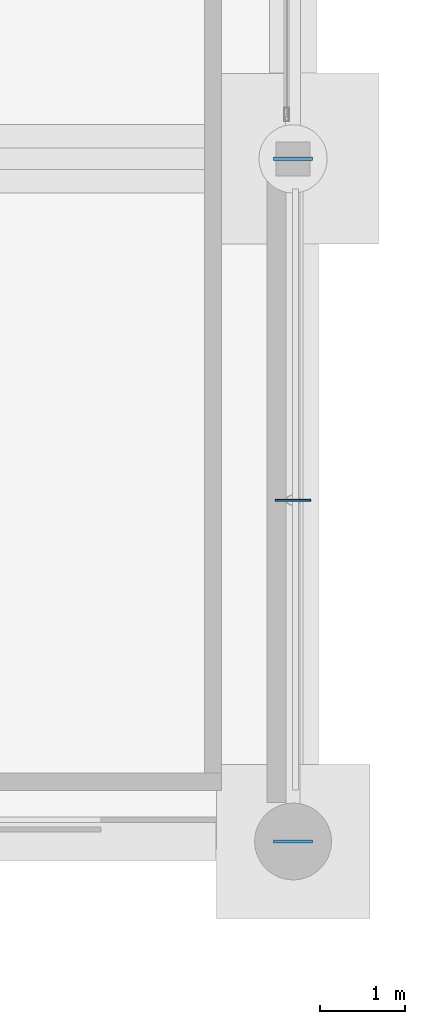
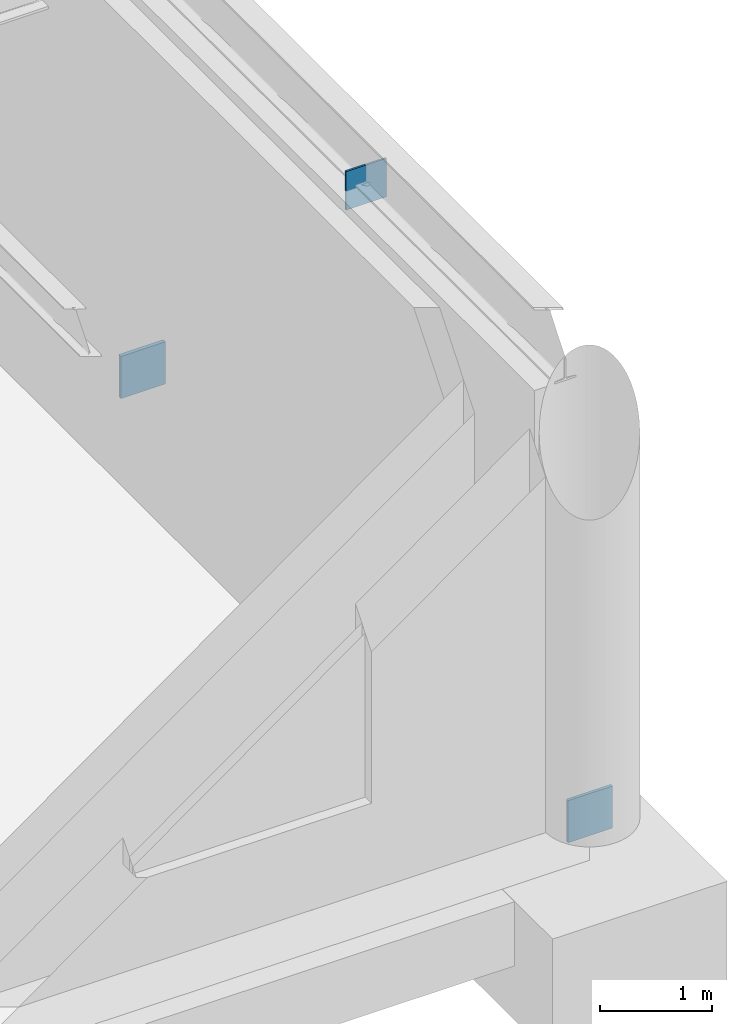
# One storey, part 170 of 203: 3 plates.
"""IFC4 building model written with IfcOpenShell, lengths in metres."""

from ifc_helpers import new_model, si_unit, direction, frame, origin, origin_2d, place, context, subcontext, project, spatial, rectangle, extrude, material, layer, layer_set, type_object, element, save


model = new_model("IFC4")

# Units and contexts
model_context = context("Model", 3, precision=1e-05, world=origin(), true_north=direction((0.0, 1.0)))
body_context = subcontext(model_context, "Body", "Model", "MODEL_VIEW")
ifc_project = project(units=[si_unit("LENGTHUNIT", "METRE"), si_unit("AREAUNIT", "SQUARE_METRE"), si_unit("VOLUMEUNIT", "CUBIC_METRE"), si_unit("PLANEANGLEUNIT", "RADIAN"), si_unit("MASSUNIT", "GRAM", prefix="KILO"), si_unit("THERMODYNAMICTEMPERATUREUNIT", "KELVIN"), si_unit("POWERUNIT", "WATT")], contexts=[model_context])

# Site, building, storey
site_placement = place(None, origin())
site = spatial("IfcSite", under=ifc_project, at=site_placement, CompositionType="ELEMENT")
building_placement = place(site_placement, origin())
building = spatial("IfcBuilding", under=site, at=building_placement, Name="Tepalcoro Natatorium and Aquatics Centre", CompositionType="ELEMENT")
storey_placement = place(building_placement, origin())
storey = spatial("IfcBuildingStorey", under=building, at=storey_placement, Name="L00", CompositionType="ELEMENT", Elevation=0.0)

# Plates
ifc_material = material(Name="Plate Steel ASTM A572 Grade 50 (Fy 345 MPa)", Category="steel")
ifc_layer_1 = layer(ifc_material, 0.031982421875)
ifc_layer_set_1 = layer_set([ifc_layer_1], Name="Plate Steel ASTM A572 Grade 50 (Fy 345 MPa)")
plate_type_1 = type_object("IfcPlateType", Name="PL_CAP_32", PredefinedType="USERDEFINED", material=ifc_layer_set_1)
plate_1_placement = place(storey_placement, frame((176.0, 86.0, -0.179931640625), z_axis=(0.0, 0.0, 1.0), x_axis=(1.0, 0.0, 0.0)))
element("IfcPlate", 1, at=plate_1_placement, inside=storey, type_object=plate_type_1, Name="Truss Node Cap Plate BRB_9", ObjectType="CAP PLATE", PredefinedType="USERDEFINED", context=body_context, shape_type="SweptSolid", body=[
    extrude(rectangle(XDim=0.4599609375, YDim=0.031982421875, at=origin_2d()), origin(), (0.0, 0.0, 1.0), 0.4599609375),
])
ifc_layer_2 = layer(ifc_material, 0.02001953125)
ifc_layer_set_2 = layer_set([ifc_layer_2], Name="Plate Steel ASTM A572 Grade 50 (Fy 345 MPa)")
plate_type_2 = type_object("IfcPlateType", Name="PL_GUSSET_20", PredefinedType="USERDEFINED", material=ifc_layer_set_2)
plate_2_placement = place(storey_placement, frame((176.0, 90.0, 4.2900390625), z_axis=(0.0, 0.0, 1.0), x_axis=(1.0, 0.0, 0.0)))
element("IfcPlate", 2, at=plate_2_placement, inside=storey, type_object=plate_type_2, Name="V5 L00 Chevron Gusset Plate GP1", ObjectType="GUSSET PLATE", PredefinedType="USERDEFINED", context=body_context, shape_type="SweptSolid", body=[
    extrude(rectangle(XDim=0.419921875, YDim=0.02001953125, at=origin_2d()), origin(), (0.0, 0.0, 1.0), 0.419921875),
])
ifc_layer_3 = layer(ifc_material, 0.0400390625)
ifc_layer_set_3 = layer_set([ifc_layer_3], Name="Plate Steel ASTM A572 Grade 50 (Fy 345 MPa)")
plate_type_3 = type_object("IfcPlateType", Name="PL_GUSSET_40", PredefinedType="USERDEFINED", material=ifc_layer_set_3)
plate_3_placement = place(storey_placement, frame((176.0, 94.0, -0.179931640625), z_axis=(0.0, 0.0, 1.0), x_axis=(1.0, 0.0, 0.0)))
element("IfcPlate", 3, at=plate_3_placement, inside=storey, type_object=plate_type_3, Name="Truss Node Gusset Plate BRB_9", ObjectType="GUSSET PLATE", PredefinedType="USERDEFINED", context=body_context, shape_type="SweptSolid", body=[
    extrude(rectangle(XDim=0.4599609375, YDim=0.0400390625, at=origin_2d()), origin(), (0.0, 0.0, 1.0), 0.4599609375),
])

save(model, "model.ifc")
